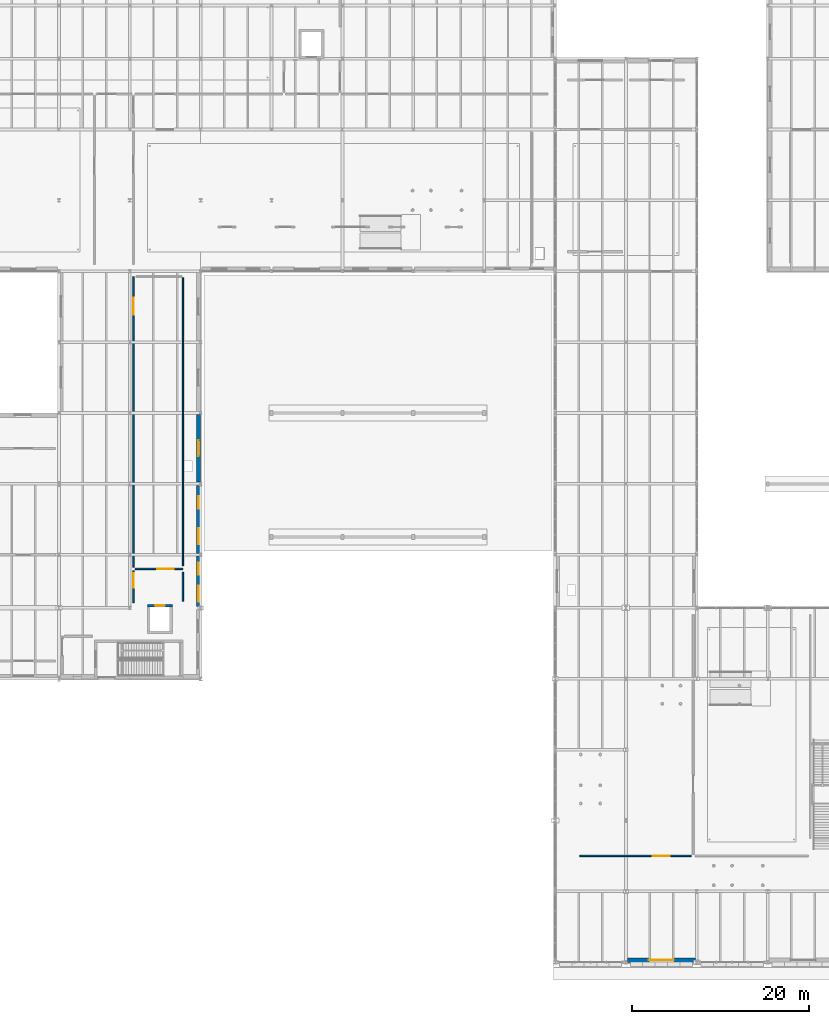
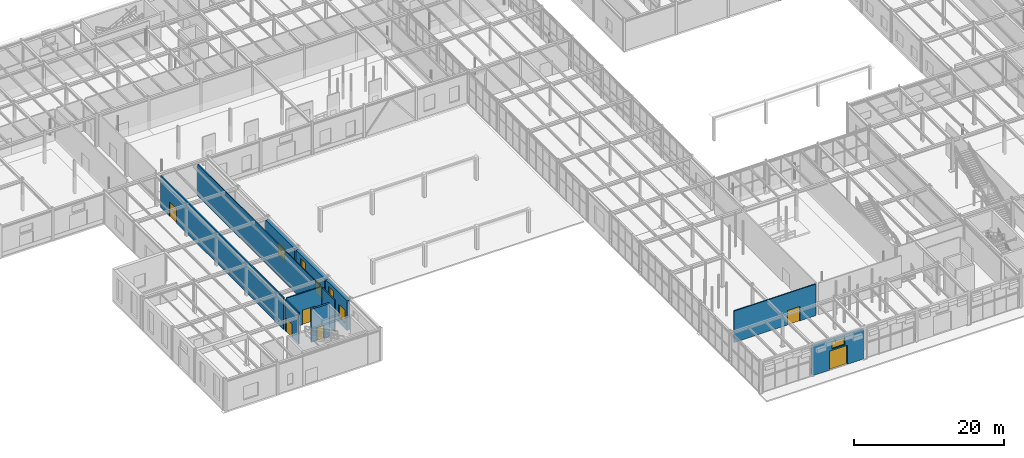
# One storey, part 77 of 129: 11 walls, 6 doors, 6 windows, 12 openings.
"""IFC4 building model written with IfcOpenShell, lengths in metres."""

from ifc_helpers import new_model, si_unit, direction, frame, frame_2d, origin, place, context, subcontext, project, spatial, rectangle, extrude, material, layer, layer_set, type_object, element, fill, save


model = new_model("IFC4")

# Units and contexts
model_context = context("Model", 3, precision=1e-05, world=origin(), true_north=direction((0.0, 1.0)))
body_context = subcontext(model_context, "Body", "Model", "MODEL_VIEW")
ifc_project = project(units=[si_unit("LENGTHUNIT", "METRE"), si_unit("AREAUNIT", "SQUARE_METRE"), si_unit("VOLUMEUNIT", "CUBIC_METRE"), si_unit("PLANEANGLEUNIT", "RADIAN"), si_unit("MASSUNIT", "GRAM", prefix="KILO")], contexts=[model_context])

# Site, building, storey
site_placement = place(None, origin())
site = spatial("IfcSite", under=ifc_project, at=site_placement, CompositionType="ELEMENT")
building_placement = place(site_placement, origin())
building = spatial("IfcBuilding", under=site, at=building_placement, Name="Sundkrona Museum", CompositionType="ELEMENT")
storey_placement = place(building_placement, origin())
storey = spatial("IfcBuildingStorey", under=building, at=storey_placement, Name="L00", CompositionType="ELEMENT", Elevation=0.0)

# Wall, opening, door
ifc_material_1 = material(Name="Concrete C40/50", Category="concrete")
ifc_layer_1 = layer(ifc_material_1, 0.300048828125)
ifc_layer_set_1 = layer_set([ifc_layer_1], Name="Concrete C40/50")
wall_type_1 = type_object("IfcWallType", Name="W-CORE-300", PredefinedType="SHEAR", material=ifc_layer_set_1)
wall_1_placement = place(storey_placement, frame((34.0, 40.25, 0.0), z_axis=(0.0, 0.0, 1.0), x_axis=(1.0, 0.0, 0.0)))
wall_1 = element("IfcWall", 1, at=wall_1_placement, inside=storey, type_object=wall_type_1, Name="L00 PL-4 Lift Shaft Wall North", PredefinedType="SHEAR", context=body_context, shape_type="SweptSolid", body=[
    extrude(rectangle(XDim=2.800048828125, YDim=0.300048828125, at=frame_2d((1.39990234375, 0.0))), origin(), (0.0, 0.0, 1.0), 5.39990234375),
])
opening_1_placement = place(wall_1_placement, frame((0.85009765625, 0.0, 0.0)))
opening_1 = element("IfcOpeningElement", 2, at=opening_1_placement, cuts=wall_1, Name="Opening LD-01", PredefinedType="OPENING", context=body_context, shape_type="SweptSolid", body=[
    extrude(rectangle(XDim=1.10009765625, YDim=2.14990234375, at=frame_2d((0.550048828125, 1.074951171875))), frame((0.0, 0.159912109375, 0.0), z_axis=(0.0, -1.0, 0.0), x_axis=(1.0, 0.0, 0.0)), (0.0, 0.0, 1.0), 0.320068359375),
])
ifc_material_2 = material(Name="Brushed Stainless Steel Lift Door", Category="steel")
door_type_1 = type_object("IfcDoorType", Name="LD-01", OperationType="SLIDING_TO_LEFT", PredefinedType="DOOR", material=ifc_material_2)
door_1_placement = place(opening_1_placement, origin())
door_1 = element("IfcDoor", 3, at=door_1_placement, inside=storey, type_object=door_type_1, Name="L00 West Pavilion Passenger Lift PL-4 Landing Door DR-LIFT-PL-4-L00", OperationType="SLIDING_TO_LEFT", OverallHeight=2.14990234375, OverallWidth=1.10009765625, PredefinedType="DOOR", context=body_context, shape_type="SweptSolid", body=[
    extrude(rectangle(XDim=1.10009765625, YDim=2.14990234375, at=frame_2d((0.550048828125, 1.074951171875))), frame((0.0, 0.02490234375, 0.0), z_axis=(0.0, -1.0, 0.0), x_axis=(1.0, 0.0, 0.0)), (0.0, 0.0, 1.0), 0.050048828125),
])
fill(opening_1, door_1)

# Wall, openings, door, window
ifc_material_3 = material(Name="Danian Limestone Ashlar Masonry 480 mm", Category="masonry")
ifc_layer_2 = layer(ifc_material_3, 0.47998046875)
ifc_layer_set_2 = layer_set([ifc_layer_2], Name="Danian Limestone Ashlar Masonry 480 mm")
wall_type_2 = type_object("IfcWallType", Name="W-LIM-480", PredefinedType="SOLIDWALL", material=ifc_layer_set_2)
wall_2_placement = place(storey_placement, frame((95.847900390625, 0.239990234375, 0.0), z_axis=(0.0, 0.0, 1.0), x_axis=(-1.0, 0.0, 0.0)))
wall_2 = element("IfcWall", 4, at=wall_2_placement, inside=storey, type_object=wall_type_2, Name="L00 Facade Wall 0090", PredefinedType="SOLIDWALL", context=body_context, shape_type="SweptSolid", body=[
    extrude(rectangle(XDim=7.69580078125, YDim=0.47998046875, at=frame_2d((3.847900390625, 0.0))), origin(), (0.0, 0.0, 1.0), 4.81494140625),
])
opening_2_placement = place(wall_2_placement, frame((2.447998046875, 0.0, 0.0)))
opening_2 = element("IfcOpeningElement", 5, at=opening_2_placement, cuts=wall_2, Name="Opening D-EX-280", PredefinedType="OPENING", context=body_context, shape_type="SweptSolid", body=[
    extrude(rectangle(XDim=2.800048828125, YDim=3.10009765625, at=frame_2d((1.39990234375, 1.550048828125))), frame((0.0, 0.25, 0.0), z_axis=(0.0, -1.0, 0.0), x_axis=(1.0, 0.0, 0.0)), (0.0, 0.0, 1.0), 0.5),
])
opening_3_placement = place(wall_2_placement, frame((2.847900390625, 0.0, 3.320068359375)))
opening_3 = element("IfcOpeningElement", 6, at=opening_3_placement, cuts=wall_2, Name="Opening WN-CL-200x110", PredefinedType="OPENING", context=body_context, shape_type="SweptSolid", body=[
    extrude(rectangle(XDim=2.0, YDim=1.10009765625, at=frame_2d((1.0, 0.550048828125))), frame((0.0, 0.25, 0.0), z_axis=(0.0, -1.0, 0.0), x_axis=(1.0, 0.0, 0.0)), (0.0, 0.0, 1.0), 0.5),
])
ifc_material_4 = material(Name="Bronze and Triple-Glazed Entrance Door", Category="other")
door_type_2 = type_object("IfcDoorType", Name="D-EX-280", OperationType="DOUBLE_DOOR_SINGLE_SWING", PredefinedType="DOOR", material=ifc_material_4)
door_2_placement = place(opening_2_placement, origin())
door_2 = element("IfcDoor", 7, at=door_2_placement, inside=storey, type_object=door_type_2, Name="L00 Exterior Door D-EX-280 DR-FE-V2S-88", OperationType="DOUBLE_DOOR_SINGLE_SWING", OverallHeight=3.10009765625, OverallWidth=2.800048828125, PredefinedType="DOOR", context=body_context, shape_type="SweptSolid", body=[
    extrude(rectangle(XDim=2.800048828125, YDim=3.10009765625, at=frame_2d((1.39990234375, 1.550048828125))), frame((0.0, 0.02490234375, 0.0), z_axis=(0.0, -1.0, 0.0), x_axis=(1.0, 0.0, 0.0)), (0.0, 0.0, 1.0), 0.050048828125),
])
fill(opening_2, door_2)
ifc_material_5 = material(Name="Triple Low-E Argon Glazing in Bronze-Anodised Aluminium", Category="aluminium")
window_type_1 = type_object("IfcWindowType", Name="WN-CL-200x110", PartitioningType="DOUBLE_PANEL_HORIZONTAL", PredefinedType="WINDOW", material=ifc_material_5)
window_1_placement = place(opening_3_placement, origin())
window_1 = element("IfcWindow", 8, at=window_1_placement, inside=storey, type_object=window_type_1, Name="L00 Archive foyer clerestory window 2000x1100 WIN-L00-0125", OverallHeight=1.10009765625, OverallWidth=2.0, PartitioningType="DOUBLE_PANEL_HORIZONTAL", PredefinedType="WINDOW", context=body_context, shape_type="SweptSolid", body=[
    extrude(rectangle(XDim=2.0, YDim=1.10009765625, at=frame_2d((1.0, 0.550048828125))), frame((0.0, 0.030029296875, 0.0), z_axis=(0.0, -1.0, 0.0), x_axis=(1.0, 0.0, 0.0)), (0.0, 0.0, 1.0), 0.06005859375),
])
fill(opening_3, window_1)

# Wall, openings, windows
wall_3_placement = place(storey_placement, frame((39.760009765625, 45.837890625, 0.0), z_axis=(0.0, 0.0, 1.0), x_axis=(0.0, -1.0, 0.0)))
wall_3 = element("IfcWall", 9, at=wall_3_placement, inside=storey, type_object=wall_type_2, Name="L00 Facade Wall 0202", PredefinedType="SOLIDWALL", context=body_context, shape_type="SweptSolid", body=[
    extrude(rectangle(XDim=5.67578125, YDim=0.47998046875, at=frame_2d((2.837890625, 0.0))), origin(), (0.0, 0.0, 1.0), 4.8349609375),
])
opening_4_placement = place(wall_3_placement, frame((0.718994140625, 0.0, 0.85009765625)))
opening_4 = element("IfcOpeningElement", 10, at=opening_4_placement, cuts=wall_3, Name="Opening WN-LN-140x340", PredefinedType="OPENING", context=body_context, shape_type="SweptSolid", body=[
    extrude(rectangle(XDim=1.39990234375, YDim=3.39990234375, at=frame_2d((0.699951171875, 1.699951171875))), frame((0.0, 0.25, 0.0), z_axis=(0.0, -1.0, 0.0), x_axis=(1.0, 0.0, 0.0)), (0.0, 0.0, 1.0), 0.5),
])
opening_5_placement = place(wall_3_placement, frame((3.35693359375, 0.0, 0.85009765625)))
opening_5 = element("IfcOpeningElement", 11, at=opening_5_placement, cuts=wall_3, Name="Opening WN-ED-180x210", PredefinedType="OPENING", context=body_context, shape_type="SweptSolid", body=[
    extrude(rectangle(XDim=1.800048828125, YDim=2.10009765625, at=frame_2d((0.89990234375, 1.050048828125))), frame((0.0, 0.25, 0.0), z_axis=(0.0, -1.0, 0.0), x_axis=(1.0, 0.0, 0.0)), (0.0, 0.0, 1.0), 0.5),
])
window_type_2 = type_object("IfcWindowType", Name="WN-ED-180x210", PartitioningType="DOUBLE_PANEL_VERTICAL", PredefinedType="WINDOW", material=ifc_material_5)
window_2_placement = place(opening_5_placement, origin())
window_2 = element("IfcWindow", 12, at=window_2_placement, inside=storey, type_object=window_type_2, Name="L00 Education studio courtyard window 1800x2100 WIN-L00-0280", OverallHeight=2.10009765625, OverallWidth=1.800048828125, PartitioningType="DOUBLE_PANEL_VERTICAL", PredefinedType="WINDOW", context=body_context, shape_type="SweptSolid", body=[
    extrude(rectangle(XDim=1.800048828125, YDim=2.10009765625, at=frame_2d((0.89990234375, 1.050048828125))), frame((0.0, 0.030029296875, 0.0), z_axis=(0.0, -1.0, 0.0), x_axis=(1.0, 0.0, 0.0)), (0.0, 0.0, 1.0), 0.06005859375),
])
fill(opening_5, window_2)
window_type_3 = type_object("IfcWindowType", Name="WN-LN-140x340", PartitioningType="SINGLE_PANEL", PredefinedType="WINDOW", material=ifc_material_5)
window_3_placement = place(opening_4_placement, origin())
window_3 = element("IfcWindow", 13, at=window_3_placement, inside=storey, type_object=window_type_3, Name="L00 Tall brick-pier gallery window 1400x3400 WIN-L00-0279", OverallHeight=3.39990234375, OverallWidth=1.39990234375, PartitioningType="SINGLE_PANEL", PredefinedType="WINDOW", context=body_context, shape_type="SweptSolid", body=[
    extrude(rectangle(XDim=1.39990234375, YDim=3.39990234375, at=frame_2d((0.699951171875, 1.699951171875))), frame((0.0, 0.030029296875, 0.0), z_axis=(0.0, -1.0, 0.0), x_axis=(1.0, 0.0, 0.0)), (0.0, 0.0, 1.0), 0.06005859375),
])
fill(opening_4, window_3)

wall_4_placement = place(storey_placement, frame((39.760009765625, 53.800537109375, 0.0), z_axis=(0.0, 0.0, 1.0), x_axis=(0.0, -1.0, 0.0)))
wall_4 = element("IfcWall", 14, at=wall_4_placement, inside=storey, type_object=wall_type_2, Name="L00 Facade Wall 0203", PredefinedType="SOLIDWALL", context=body_context, shape_type="SweptSolid", body=[
    extrude(rectangle(XDim=7.638427734375, YDim=0.47998046875, at=frame_2d((3.8193359375, 0.0))), origin(), (0.0, 0.0, 1.0), 4.8349609375),
])
opening_6_placement = place(wall_4_placement, frame((1.209716796875, 0.0, 0.85009765625)))
opening_6 = element("IfcOpeningElement", 15, at=opening_6_placement, cuts=wall_4, Name="Opening WN-LN-140x340", PredefinedType="OPENING", context=body_context, shape_type="SweptSolid", body=[
    extrude(rectangle(XDim=1.39990234375, YDim=3.39990234375, at=frame_2d((0.699951171875, 1.699951171875))), frame((0.0, 0.25, 0.0), z_axis=(0.0, -1.0, 0.0), x_axis=(1.0, 0.0, 0.0)), (0.0, 0.0, 1.0), 0.5),
])
opening_7_placement = place(wall_4_placement, frame((4.828857421875, 0.0, 0.85009765625)))
opening_7 = element("IfcOpeningElement", 16, at=opening_7_placement, cuts=wall_4, Name="Opening WN-ED-180x210", PredefinedType="OPENING", context=body_context, shape_type="SweptSolid", body=[
    extrude(rectangle(XDim=1.800048828125, YDim=2.10009765625, at=frame_2d((0.89990234375, 1.050048828125))), frame((0.0, 0.25, 0.0), z_axis=(0.0, -1.0, 0.0), x_axis=(1.0, 0.0, 0.0)), (0.0, 0.0, 1.0), 0.5),
])
window_4_placement = place(opening_7_placement, origin())
window_4 = element("IfcWindow", 17, at=window_4_placement, inside=storey, type_object=window_type_2, Name="L00 Education studio courtyard window 1800x2100 WIN-L00-0282", OverallHeight=2.10009765625, OverallWidth=1.800048828125, PartitioningType="DOUBLE_PANEL_VERTICAL", PredefinedType="WINDOW", context=body_context, shape_type="SweptSolid", body=[
    extrude(rectangle(XDim=1.800048828125, YDim=2.10009765625, at=frame_2d((0.89990234375, 1.050048828125))), frame((0.0, 0.030029296875, 0.0), z_axis=(0.0, -1.0, 0.0), x_axis=(1.0, 0.0, 0.0)), (0.0, 0.0, 1.0), 0.06005859375),
])
fill(opening_7, window_4)
window_5_placement = place(opening_6_placement, origin())
window_5 = element("IfcWindow", 18, at=window_5_placement, inside=storey, type_object=window_type_3, Name="L00 Tall brick-pier gallery window 1400x3400 WIN-L00-0281", OverallHeight=3.39990234375, OverallWidth=1.39990234375, PartitioningType="SINGLE_PANEL", PredefinedType="WINDOW", context=body_context, shape_type="SweptSolid", body=[
    extrude(rectangle(XDim=1.39990234375, YDim=3.39990234375, at=frame_2d((0.699951171875, 1.699951171875))), frame((0.0, 0.030029296875, 0.0), z_axis=(0.0, -1.0, 0.0), x_axis=(1.0, 0.0, 0.0)), (0.0, 0.0, 1.0), 0.06005859375),
])
fill(opening_6, window_5)

# Wall, opening, window
wall_5_placement = place(storey_placement, frame((39.760009765625, 61.837890625, 0.0), z_axis=(0.0, 0.0, 1.0), x_axis=(0.0, -1.0, 0.0)))
wall_5 = element("IfcWall", 19, at=wall_5_placement, inside=storey, type_object=wall_type_2, Name="L00 Facade Wall 0204", PredefinedType="SOLIDWALL", context=body_context, shape_type="SweptSolid", body=[
    extrude(rectangle(XDim=7.638427734375, YDim=0.47998046875, at=frame_2d((3.8193359375, 0.0))), origin(), (0.0, 0.0, 1.0), 4.8349609375),
])
opening_8_placement = place(wall_5_placement, frame((2.919189453125, 0.0, 0.85009765625)))
opening_8 = element("IfcOpeningElement", 20, at=opening_8_placement, cuts=wall_5, Name="Opening WN-ED-180x210", PredefinedType="OPENING", context=body_context, shape_type="SweptSolid", body=[
    extrude(rectangle(XDim=1.800048828125, YDim=2.10009765625, at=frame_2d((0.89990234375, 1.050048828125))), frame((0.0, 0.25, 0.0), z_axis=(0.0, -1.0, 0.0), x_axis=(1.0, 0.0, 0.0)), (0.0, 0.0, 1.0), 0.5),
])
window_6_placement = place(opening_8_placement, origin())
window_6 = element("IfcWindow", 21, at=window_6_placement, inside=storey, type_object=window_type_2, Name="L00 Education studio courtyard window 1800x2100 WIN-L00-0283", OverallHeight=2.10009765625, OverallWidth=1.800048828125, PartitioningType="DOUBLE_PANEL_VERTICAL", PredefinedType="WINDOW", context=body_context, shape_type="SweptSolid", body=[
    extrude(rectangle(XDim=1.800048828125, YDim=2.10009765625, at=frame_2d((0.89990234375, 1.050048828125))), frame((0.0, 0.030029296875, 0.0), z_axis=(0.0, -1.0, 0.0), x_axis=(1.0, 0.0, 0.0)), (0.0, 0.0, 1.0), 0.06005859375),
])
fill(opening_8, window_6)

# Wall
ifc_material_6 = material(Name="Acoustic Gypsum Partition Board 150 mm", Category="other")
ifc_layer_3 = layer(ifc_material_6, 0.14990234375)
ifc_layer_set_3 = layer_set([ifc_layer_3], Name="Acoustic Gypsum Partition Board 150 mm")
wall_type_3 = type_object("IfcWallType", Name="W-PT-150", PredefinedType="PARTITIONING", material=ifc_layer_set_3)
wall_6_placement = place(storey_placement, frame((38.0, 44.75, 0.0), z_axis=(0.0, 0.0, 1.0), x_axis=(0.0, 1.0, 0.0)))
element("IfcWall", 22, at=wall_6_placement, inside=storey, type_object=wall_type_3, Name="L00 Nordic Botany Cabinet Gallery Enclosure Wall E", PredefinedType="PARTITIONING", context=body_context, shape_type="SweptSolid", body=[
    extrude(rectangle(XDim=32.5, YDim=0.14990234375, at=frame_2d((16.25, 0.0))), origin(), (0.0, 0.0, 1.0), 5.159912109375),
])

# Wall, opening, door
ifc_material_7 = material(Name="Fire-rated Gypsum Partition Board 175 mm", Category="other")
ifc_layer_4 = layer(ifc_material_7, 0.175048828125)
ifc_layer_set_4 = layer_set([ifc_layer_4], Name="Fire-rated Gypsum Partition Board 175 mm")
wall_type_4 = type_object("IfcWallType", Name="W-PT-175", PredefinedType="PARTITIONING", material=ifc_layer_set_4)
wall_7_placement = place(storey_placement, frame((32.39990234375, 40.60009765625, 0.0), z_axis=(0.0, 0.0, 1.0), x_axis=(0.0, 1.0, 0.0)))
wall_7 = element("IfcWall", 23, at=wall_7_placement, inside=storey, type_object=wall_type_4, Name="L00 Partition West Pavilion Lift Lobby / West Cloister Corridor", PredefinedType="PARTITIONING", context=body_context, shape_type="SweptSolid", body=[
    extrude(rectangle(XDim=3.599853515625, YDim=0.175048828125, at=frame_2d((1.7998046875, 0.0))), origin(), (0.0, 0.0, 1.0), 5.159912109375),
])
opening_9_placement = place(wall_7_placement, frame((1.699951171875, 0.0, 0.0)))
opening_9 = element("IfcOpeningElement", 24, at=opening_9_placement, cuts=wall_7, Name="Opening D-CMP-160", PredefinedType="OPENING", context=body_context, shape_type="SweptSolid", body=[
    extrude(rectangle(XDim=1.60009765625, YDim=2.25, at=frame_2d((0.800048828125, 1.125))), frame((0.0, 0.097412109375, 0.0), z_axis=(0.0, -1.0, 0.0), x_axis=(1.0, 0.0, 0.0)), (0.0, 0.0, 1.0), 0.195068359375),
])
ifc_material_8 = material(Name="Glazed Steel Fire Screen Door", Category="steel")
door_type_3 = type_object("IfcDoorType", Name="D-CMP-160", OperationType="DOUBLE_DOOR_SINGLE_SWING", PredefinedType="DOOR", material=ifc_material_8)
door_3_placement = place(opening_9_placement, origin())
door_3 = element("IfcDoor", 25, at=door_3_placement, inside=storey, type_object=door_type_3, Name="L00 Interior Door DR-ADJ-L00-0042", OperationType="DOUBLE_DOOR_SINGLE_SWING", OverallHeight=2.25, OverallWidth=1.60009765625, PredefinedType="DOOR", context=body_context, shape_type="SweptSolid", body=[
    extrude(rectangle(XDim=1.60009765625, YDim=2.25, at=frame_2d((0.800048828125, 1.125))), frame((0.0, 0.02490234375, 0.0), z_axis=(0.0, -1.0, 0.0), x_axis=(1.0, 0.0, 0.0)), (0.0, 0.0, 1.0), 0.050048828125),
])
fill(opening_9, door_3)

wall_8_placement = place(storey_placement, frame((32.60009765625, 44.39990234375, 0.0), z_axis=(0.0, 0.0, 1.0), x_axis=(1.0, 0.0, 0.0)))
wall_8 = element("IfcWall", 26, at=wall_8_placement, inside=storey, type_object=wall_type_4, Name="L00 Partition West Pavilion Lift Lobby / Nordic Botany Cabinet Gallery", PredefinedType="PARTITIONING", context=body_context, shape_type="SweptSolid", body=[
    extrude(rectangle(XDim=5.39990234375, YDim=0.175048828125, at=frame_2d((2.699951171875, 0.0))), origin(), (0.0, 0.0, 1.0), 5.159912109375),
])
opening_10_placement = place(wall_8_placement, frame((2.47509765625, 0.0, 0.0)))
opening_10 = element("IfcOpeningElement", 27, at=opening_10_placement, cuts=wall_8, Name="Opening D-AUD-190", PredefinedType="OPENING", context=body_context, shape_type="SweptSolid", body=[
    extrude(rectangle(XDim=1.89990234375, YDim=2.35009765625, at=frame_2d((0.949951171875, 1.175048828125))), frame((0.0, 0.097412109375, 0.0), z_axis=(0.0, -1.0, 0.0), x_axis=(1.0, 0.0, 0.0)), (0.0, 0.0, 1.0), 0.195068359375),
])
ifc_material_9 = material(Name="Acoustic Oak Fire Door", Category="other")
door_type_4 = type_object("IfcDoorType", Name="D-AUD-190", OperationType="DOUBLE_DOOR_SINGLE_SWING", PredefinedType="DOOR", material=ifc_material_9)
door_4_placement = place(opening_10_placement, origin())
door_4 = element("IfcDoor", 28, at=door_4_placement, inside=storey, type_object=door_type_4, Name="L00 Interior Door DR-ADJ-L00-0043", OperationType="DOUBLE_DOOR_SINGLE_SWING", OverallHeight=2.35009765625, OverallWidth=1.89990234375, PredefinedType="DOOR", context=body_context, shape_type="SweptSolid", body=[
    extrude(rectangle(XDim=1.89990234375, YDim=2.35009765625, at=frame_2d((0.949951171875, 1.175048828125))), frame((0.0, 0.02490234375, 0.0), z_axis=(0.0, -1.0, 0.0), x_axis=(1.0, 0.0, 0.0)), (0.0, 0.0, 1.0), 0.050048828125),
])
fill(opening_10, door_4)

wall_9_placement = place(storey_placement, frame((82.800048828125, 12.0, 0.0), z_axis=(0.0, 0.0, 1.0), x_axis=(1.0, 0.0, 0.0)))
wall_9 = element("IfcWall", 29, at=wall_9_placement, inside=storey, type_object=wall_type_4, Name="L00 Partition Covered Passage Concourse / Visitor Cafe", PredefinedType="PARTITIONING", context=body_context, shape_type="SweptSolid", body=[
    extrude(rectangle(XDim=12.599853515625, YDim=0.175048828125, at=frame_2d((6.2998046875, 0.0))), origin(), (0.0, 0.0, 1.0), 5.139892578125),
])
opening_11_placement = place(wall_9_placement, frame((8.235595703125, 0.0, 0.0)))
opening_11 = element("IfcOpeningElement", 30, at=opening_11_placement, cuts=wall_9, Name="Opening D-AUD-190", PredefinedType="OPENING", context=body_context, shape_type="SweptSolid", body=[
    extrude(rectangle(XDim=1.89990234375, YDim=2.35009765625, at=frame_2d((0.949951171875, 1.175048828125))), frame((0.0, 0.097412109375, 0.0), z_axis=(0.0, -1.0, 0.0), x_axis=(1.0, 0.0, 0.0)), (0.0, 0.0, 1.0), 0.195068359375),
])
door_5_placement = place(opening_11_placement, origin())
door_5 = element("IfcDoor", 31, at=door_5_placement, inside=storey, type_object=door_type_4, Name="L00 Interior Door DR-ADJ-L00-0053", OperationType="DOUBLE_DOOR_SINGLE_SWING", OverallHeight=2.35009765625, OverallWidth=1.89990234375, PredefinedType="DOOR", context=body_context, shape_type="SweptSolid", body=[
    extrude(rectangle(XDim=1.89990234375, YDim=2.35009765625, at=frame_2d((0.949951171875, 1.175048828125))), frame((0.0, 0.02490234375, 0.0), z_axis=(0.0, -1.0, 0.0), x_axis=(1.0, 0.0, 0.0)), (0.0, 0.0, 1.0), 0.050048828125),
])
fill(opening_11, door_5)

wall_10_placement = place(storey_placement, frame((32.39990234375, 44.60009765625, 0.0), z_axis=(0.0, 0.0, 1.0), x_axis=(0.0, 1.0, 0.0)))
wall_10 = element("IfcWall", 32, at=wall_10_placement, inside=storey, type_object=wall_type_4, Name="L00 Partition West Cloister Corridor / Nordic Botany Cabinet Gallery", PredefinedType="PARTITIONING", context=body_context, shape_type="SweptSolid", body=[
    extrude(rectangle(XDim=32.7998046875, YDim=0.175048828125, at=frame_2d((16.39990234375, 0.0))), origin(), (0.0, 0.0, 1.0), 5.159912109375),
])
opening_12_placement = place(wall_10_placement, frame((28.486083984375, 0.0, 0.0)))
opening_12 = element("IfcOpeningElement", 33, at=opening_12_placement, cuts=wall_10, Name="Opening D-AUD-190", PredefinedType="OPENING", context=body_context, shape_type="SweptSolid", body=[
    extrude(rectangle(XDim=1.89990234375, YDim=2.35009765625, at=frame_2d((0.949951171875, 1.175048828125))), frame((0.0, 0.097412109375, 0.0), z_axis=(0.0, -1.0, 0.0), x_axis=(1.0, 0.0, 0.0)), (0.0, 0.0, 1.0), 0.195068359375),
])
door_6_placement = place(opening_12_placement, origin())
door_6 = element("IfcDoor", 34, at=door_6_placement, inside=storey, type_object=door_type_4, Name="L00 Interior Door DR-ADJ-L00-0067", OperationType="DOUBLE_DOOR_SINGLE_SWING", OverallHeight=2.35009765625, OverallWidth=1.89990234375, PredefinedType="DOOR", context=body_context, shape_type="SweptSolid", body=[
    extrude(rectangle(XDim=1.89990234375, YDim=2.35009765625, at=frame_2d((0.949951171875, 1.175048828125))), frame((0.0, 0.02490234375, 0.0), z_axis=(0.0, -1.0, 0.0), x_axis=(1.0, 0.0, 0.0)), (0.0, 0.0, 1.0), 0.050048828125),
])
fill(opening_12, door_6)

# Wall
wall_11_placement = place(storey_placement, frame((38.0, 40.75, 0.0), z_axis=(0.0, 0.0, 1.0), x_axis=(0.0, 1.0, 0.0)))
element("IfcWall", 35, at=wall_11_placement, inside=storey, type_object=wall_type_4, Name="L00 West Pavilion Lift Lobby Enclosure Wall E", PredefinedType="PARTITIONING", context=body_context, shape_type="SweptSolid", body=[
    extrude(rectangle(XDim=3.300048828125, YDim=0.175048828125, at=frame_2d((1.64990234375, 0.0))), origin(), (0.0, 0.0, 1.0), 5.159912109375),
])

save(model, "model.ifc")
